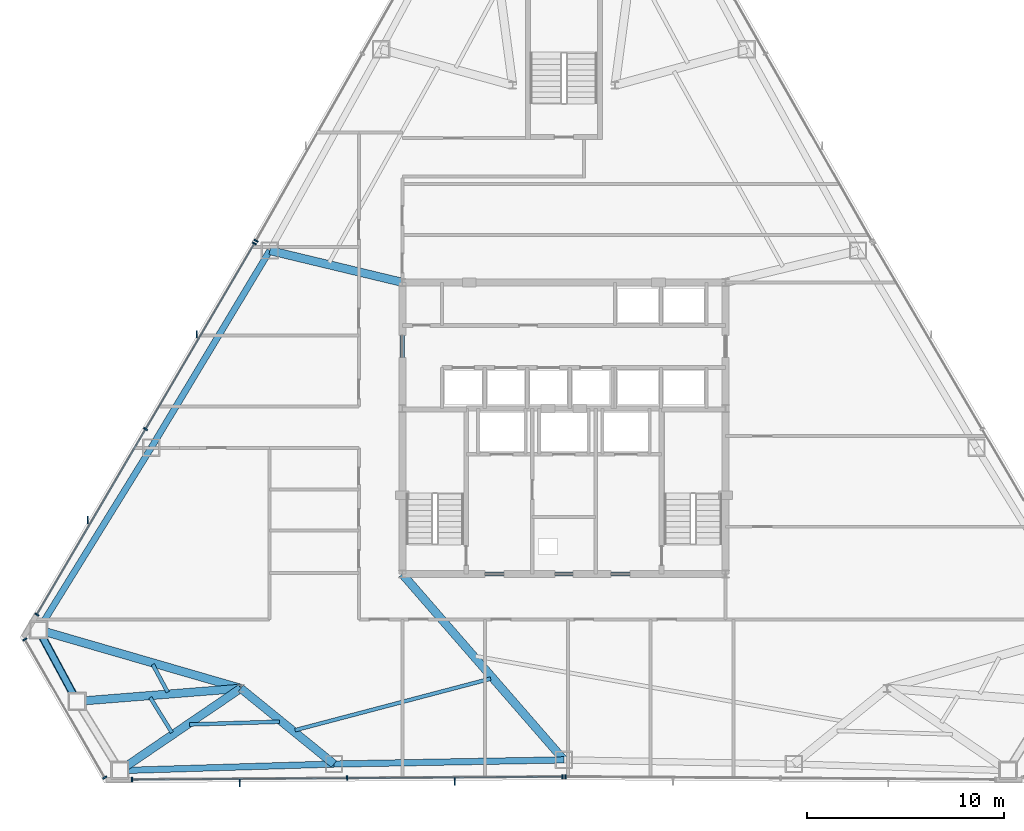
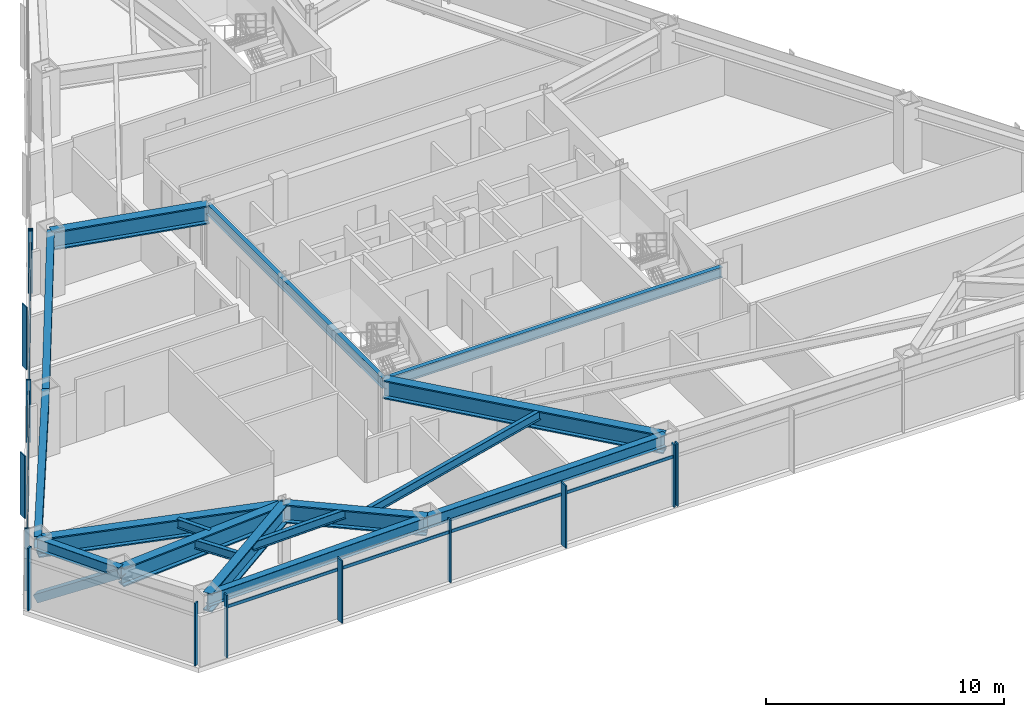
# One storey, part 4 of 13: 17 beams, 17 members, 5 elements without a shape of their own.
"""IFC4 building model written with IfcOpenShell, lengths in metres."""

from ifc_helpers import new_model, si_unit, direction, frame, origin, origin_2d, place, context, subcontext, project, spatial, rectangle, hollow_rectangle, i_section, extrude, source, transform, mapped, material, layer, layer_set, material_profile, profile_set, type_object, type_shapes, element, aggregate, save


model = new_model("IFC4")

# Units and contexts
model_context = context("Model", 3, precision=1e-05, world=origin(), true_north=direction((0.0, 1.0)))
body_context = subcontext(model_context, "Body", "Model", "MODEL_VIEW")
ifc_project = project(units=[si_unit("LENGTHUNIT", "METRE"), si_unit("AREAUNIT", "SQUARE_METRE"), si_unit("VOLUMEUNIT", "CUBIC_METRE"), si_unit("PLANEANGLEUNIT", "RADIAN"), si_unit("MASSUNIT", "GRAM", prefix="KILO")], contexts=[model_context])

# Site, building, storey
site_placement = place(None, origin())
site = spatial("IfcSite", under=ifc_project, at=site_placement, CompositionType="ELEMENT")
building_placement = place(site_placement, origin())
building = spatial("IfcBuilding", under=site, at=building_placement, Name="Varakhsha Concourse Tower", CompositionType="ELEMENT")
storey_placement = place(building_placement, frame((0.0, 0.0, 133.25)))
storey = spatial("IfcBuildingStorey", under=building, at=storey_placement, Name="L38", CompositionType="ELEMENT", Elevation=133.25)

# Beams
ifc_material_1 = material(Name="Structural Steel ASTM A992 Grade 50", Category="steel")
ifc_material_profile_1 = material_profile(ifc_material_1, i_section(OverallWidth=0.19091796875, OverallDepth=0.45703125, WebThickness=0.009033203125, FlangeThickness=0.013916015625, at=origin_2d()), Name="W18X50")
ifc_profile_set_1 = profile_set([ifc_material_profile_1], Name="Structural Steel ASTM A992 Grade 50")
beam_type_1 = type_object("IfcBeamType", Name="BM-JST-W18X50", PredefinedType="JOIST", material=ifc_profile_set_1)
beam_1_placement = place(storey_placement, frame((19.138671875, 11.811279296875, 2.9814453125), z_axis=(0.474291347454, -0.880367944516, 0.0), x_axis=(0.880367944516, 0.474291347454, 0.0)))
element("IfcBeam", 1, at=beam_1_placement, inside=storey, type_object=beam_type_1, Name="BM-TJST-L38-07", PredefinedType="JOIST", context=body_context, shape_type="SweptSolid", body=[
    extrude(i_section(OverallWidth=0.19091796875, OverallDepth=0.45703125, WebThickness=0.009033203125, FlangeThickness=0.013916015625, at=origin_2d()), origin(), (0.0, 0.0, 1.0), 1.59619140625),
])
beam_2_placement = place(storey_placement, frame((19.009521484375, 10.13623046875, 2.9814453125), z_axis=(0.525321381289, -0.850903899604, 0.0), x_axis=(0.850903899604, 0.525321381289, 0.0)))
element("IfcBeam", 2, at=beam_2_placement, inside=storey, type_object=beam_type_1, Name="BM-TJST-L38-08", PredefinedType="JOIST", context=body_context, shape_type="SweptSolid", body=[
    extrude(i_section(OverallWidth=0.19091796875, OverallDepth=0.45703125, WebThickness=0.009033203125, FlangeThickness=0.013916015625, at=origin_2d()), origin(), (0.0, 0.0, 1.0), 2.09130859375),
])
beam_3_placement = place(storey_placement, frame((21.01171875, 8.76708984375, 2.9814453125), z_axis=(0.999532992697, 0.030558084212, 0.0), x_axis=(-0.030558084212, 0.999532992697, 0.0)))
element("IfcBeam", 3, at=beam_3_placement, inside=storey, type_object=beam_type_1, Name="BM-TJST-L38-09", PredefinedType="JOIST", context=body_context, shape_type="SweptSolid", body=[
    extrude(i_section(OverallWidth=0.19091796875, OverallDepth=0.45703125, WebThickness=0.009033203125, FlangeThickness=0.013916015625, at=origin_2d()), origin(), (0.0, 0.0, 1.0), 4.56201171875),
])
beam_4_placement = place(storey_placement, frame((26.35546875, 8.47705078125, 2.9814453125), z_axis=(0.967049278612, 0.254589262806, 0.0), x_axis=(-0.254589262806, 0.967049278612, 0.0)))
element("IfcBeam", 4, at=beam_4_placement, inside=storey, type_object=beam_type_1, Name="BM-TJST-L38-10", PredefinedType="JOIST", context=body_context, shape_type="SweptSolid", body=[
    extrude(i_section(OverallWidth=0.19091796875, OverallDepth=0.45703125, WebThickness=0.009033203125, FlangeThickness=0.013916015625, at=origin_2d()), origin(), (0.0, 0.0, 1.0), 10.2685546875),
])
ifc_material_profile_2 = material_profile(ifc_material_1, i_section(OverallWidth=0.423095703125, OverallDepth=0.947998046875, WebThickness=0.0380859375, FlangeThickness=0.06396484375, at=origin_2d()), Name="W36X302")
ifc_profile_set_2 = profile_set([ifc_material_profile_2], Name="Structural Steel ASTM A992 Grade 50")
beam_type_2 = type_object("IfcBeamType", Name="BM-OUTR-W36X302", PredefinedType="USERDEFINED", material=ifc_profile_set_2)
beam_5_placement = place(storey_placement, frame((31.800048828125, 31.199951171875, 2.736083984375), z_axis=(-0.972326679088, 0.233625403442, 0.0), x_axis=(-0.233625403442, -0.972326679088, 0.0)))
element("IfcBeam", 5, at=beam_5_placement, inside=storey, type_object=beam_type_2, Name="L38 Radial Floor Girder 05", ObjectType="GIRDER", PredefinedType="USERDEFINED", context=body_context, shape_type="SweptSolid", body=[
    extrude(i_section(OverallWidth=0.423095703125, OverallDepth=0.947998046875, WebThickness=0.0380859375, FlangeThickness=0.06396484375, at=origin_2d()), origin(), (0.0, 0.0, 1.0), 6.912841796875),
])
beam_6_placement = place(storey_placement, frame((23.60009765625, 10.60009765625, 2.736083984375), z_axis=(-0.960479386688, 0.27835112313, 0.0), x_axis=(-0.27835112313, -0.960479386688, 0.0)))
element("IfcBeam", 6, at=beam_6_placement, inside=storey, type_object=beam_type_2, Name="L38 Radial Floor Girder 07", ObjectType="GIRDER", PredefinedType="USERDEFINED", context=body_context, shape_type="SweptSolid", body=[
    extrude(i_section(OverallWidth=0.423095703125, OverallDepth=0.947998046875, WebThickness=0.0380859375, FlangeThickness=0.06396484375, at=origin_2d()), origin(), (0.0, 0.0, 1.0), 10.680419921875),
])
beam_7_placement = place(storey_placement, frame((23.60009765625, 10.60009765625, 2.736083984375), z_axis=(-0.996845319741, -0.079368813216, 0.0), x_axis=(0.079368813216, -0.996845319741, 0.0)))
element("IfcBeam", 7, at=beam_7_placement, inside=storey, type_object=beam_type_2, Name="L38 Radial Floor Girder 08", ObjectType="GIRDER", PredefinedType="USERDEFINED", context=body_context, shape_type="SweptSolid", body=[
    extrude(i_section(OverallWidth=0.423095703125, OverallDepth=0.947998046875, WebThickness=0.0380859375, FlangeThickness=0.06396484375, at=origin_2d()), origin(), (0.0, 0.0, 1.0), 8.326904296875),
])
beam_8_placement = place(storey_placement, frame((23.60009765625, 10.60009765625, 2.736083984375), z_axis=(-0.826715856681, -0.562619669325, 0.0), x_axis=(0.562619669325, -0.826715856681, 0.0)))
element("IfcBeam", 8, at=beam_8_placement, inside=storey, type_object=beam_type_2, Name="L38 Radial Floor Girder 09", ObjectType="GIRDER", PredefinedType="USERDEFINED", context=body_context, shape_type="SweptSolid", body=[
    extrude(i_section(OverallWidth=0.423095703125, OverallDepth=0.947998046875, WebThickness=0.0380859375, FlangeThickness=0.06396484375, at=origin_2d()), origin(), (0.0, 0.0, 1.0), 7.417724609375),
])
beam_9_placement = place(storey_placement, frame((23.60009765625, 10.60009765625, 2.736083984375), z_axis=(0.776310048097, -0.630351258604, 0.0), x_axis=(0.630351258604, 0.776310048097, 0.0)))
element("IfcBeam", 9, at=beam_9_placement, inside=storey, type_object=beam_type_2, Name="L38 Radial Floor Girder 10", ObjectType="GIRDER", PredefinedType="USERDEFINED", context=body_context, shape_type="SweptSolid", body=[
    extrude(i_section(OverallWidth=0.423095703125, OverallDepth=0.947998046875, WebThickness=0.0380859375, FlangeThickness=0.06396484375, at=origin_2d()), origin(), (0.0, 0.0, 1.0), 6.093505859375),
])
beam_10_placement = place(storey_placement, frame((31.800048828125, 16.39990234375, 2.736083984375), z_axis=(0.656188872418, -0.754596689441, 0.0), x_axis=(0.754596689441, 0.656188872418, 0.0)))
element("IfcBeam", 10, at=beam_10_placement, inside=storey, type_object=beam_type_2, Name="L38 Radial Floor Girder 11", ObjectType="GIRDER", PredefinedType="USERDEFINED", context=body_context, shape_type="SweptSolid", body=[
    extrude(i_section(OverallWidth=0.423095703125, OverallDepth=0.947998046875, WebThickness=0.0380859375, FlangeThickness=0.06396484375, at=origin_2d()), origin(), (0.0, 0.0, 1.0), 12.496337890625),
])
ifc_material_profile_3 = material_profile(ifc_material_1, i_section(OverallWidth=0.2109375, OverallDepth=0.5390625, WebThickness=0.011962890625, FlangeThickness=0.01904296875, at=origin_2d()), Name="W21X73")
ifc_profile_set_3 = profile_set([ifc_material_profile_3], Name="Structural Steel ASTM A992 Grade 50")
beam_type_3 = type_object("IfcBeamType", Name="BM-RAD-W21X73", PredefinedType="BEAM", material=ifc_profile_set_3)
beam_11_placement = place(storey_placement, frame((31.800048828125, 16.39990234375, 2.9404296875), z_axis=(1.0, 0.0, 0.0), x_axis=(0.0, 1.0, 0.0)))
element("IfcBeam", 11, at=beam_11_placement, inside=storey, type_object=beam_type_3, Name="BM-TCORE-L38-CS", PredefinedType="BEAM", context=body_context, shape_type="SweptSolid", body=[
    extrude(i_section(OverallWidth=0.2109375, OverallDepth=0.5390625, WebThickness=0.011962890625, FlangeThickness=0.01904296875, at=origin_2d()), origin(), (0.0, 0.0, 1.0), 16.39990234375),
])
beam_12_placement = place(storey_placement, frame((31.800048828125, 16.39990234375, 2.9404296875), z_axis=(0.0, 1.0, 0.0), x_axis=(-1.0, 0.0, 0.0)))
element("IfcBeam", 12, at=beam_12_placement, inside=storey, type_object=beam_type_3, Name="BM-TCORE-L38-CW", PredefinedType="BEAM", context=body_context, shape_type="SweptSolid", body=[
    extrude(i_section(OverallWidth=0.2109375, OverallDepth=0.5390625, WebThickness=0.011962890625, FlangeThickness=0.01904296875, at=origin_2d()), origin(), (0.0, 0.0, 1.0), 14.800048828125),
])
ifc_material_profile_4 = material_profile(ifc_material_1, i_section(OverallWidth=0.323974609375, OverallDepth=0.611083984375, WebThickness=0.012939453125, FlangeThickness=0.01904296875, at=origin_2d()), Name="W24X104")
ifc_profile_set_4 = profile_set([ifc_material_profile_4], Name="Structural Steel ASTM A992 Grade 50")
beam_type_4 = type_object("IfcBeamType", Name="BM-SPAN-W24X104", PredefinedType="SPANDREL", material=ifc_profile_set_4)
beam_13_placement = place(storey_placement, frame((25.07861328125, 32.81494140625, 2.904541015625), z_axis=(-0.515584301613, -0.856838857622, 0.0), x_axis=(0.856838857622, -0.515584301613, 0.0)))
element("IfcBeam", 13, at=beam_13_placement, inside=storey, type_object=beam_type_4, Name="BM-SPAN-L38-05", PredefinedType="SPANDREL", context=body_context, shape_type="SweptSolid", body=[
    extrude(i_section(OverallWidth=0.323974609375, OverallDepth=0.611083984375, WebThickness=0.012939453125, FlangeThickness=0.01904296875, at=origin_2d()), origin(), (0.0, 0.0, 1.0), 11.67138671875),
])
beam_14_placement = place(storey_placement, frame((19.06103515625, 22.814453125, 2.904541015625), z_axis=(-0.526244020502, -0.850333599763, 0.0), x_axis=(0.850333599763, -0.526244020502, 0.0)))
element("IfcBeam", 14, at=beam_14_placement, inside=storey, type_object=beam_type_4, Name="BM-SPAN-L38-06", PredefinedType="SPANDREL", context=body_context, shape_type="SweptSolid", body=[
    extrude(i_section(OverallWidth=0.323974609375, OverallDepth=0.611083984375, WebThickness=0.012939453125, FlangeThickness=0.01904296875, at=origin_2d()), origin(), (0.0, 0.0, 1.0), 10.867919921875),
])
beam_15_placement = place(storey_placement, frame((13.341796875, 13.572998046875, 2.904541015625), z_axis=(0.474307913121, -0.880359019691, 0.0), x_axis=(0.880359019691, 0.474307913121, 0.0)))
element("IfcBeam", 15, at=beam_15_placement, inside=storey, type_object=beam_type_4, Name="BM-SPAN-L38-07", PredefinedType="SPANDREL", context=body_context, shape_type="SweptSolid", body=[
    extrude(i_section(OverallWidth=0.323974609375, OverallDepth=0.611083984375, WebThickness=0.012939453125, FlangeThickness=0.01904296875, at=origin_2d()), origin(), (0.0, 0.0, 1.0), 4.127685546875),
])
beam_16_placement = place(storey_placement, frame((17.4677734375, 6.4267578125, 2.904541015625), z_axis=(0.999532503113, 0.030574093962, 0.0), x_axis=(-0.030574093962, 0.999532503113, 0.0)))
element("IfcBeam", 16, at=beam_16_placement, inside=storey, type_object=beam_type_4, Name="BM-SPAN-L38-09", PredefinedType="SPANDREL", context=body_context, shape_type="SweptSolid", body=[
    extrude(i_section(OverallWidth=0.323974609375, OverallDepth=0.611083984375, WebThickness=0.012939453125, FlangeThickness=0.01904296875, at=origin_2d()), origin(), (0.0, 0.0, 1.0), 10.867919921875),
])
beam_17_placement = place(storey_placement, frame((28.33056640625, 6.759033203125, 2.904541015625), z_axis=(0.99983628966, 0.018094028841, 0.0), x_axis=(-0.018094028841, 0.99983628966, 0.0)))
element("IfcBeam", 17, at=beam_17_placement, inside=storey, type_object=beam_type_4, Name="BM-SPAN-L38-10", PredefinedType="SPANDREL", context=body_context, shape_type="SweptSolid", body=[
    extrude(i_section(OverallWidth=0.323974609375, OverallDepth=0.611083984375, WebThickness=0.012939453125, FlangeThickness=0.01904296875, at=origin_2d()), origin(), (0.0, 0.0, 1.0), 11.67138671875),
])

# Member
ifc_material_2 = material(Name="Structural Steel ASTM A500 Grade C", Category="steel")
ifc_material_profile_5 = material_profile(ifc_material_2, hollow_rectangle(XDim=0.39990234375, YDim=0.39990234375, WallThickness=0.01611328125, at=origin_2d()), Name="HSS 400x400x16")
ifc_profile_set_5 = profile_set([ifc_material_profile_5], Name="Structural Steel ASTM A500 Grade C")
member_type_1 = type_object("IfcMemberType", Name="MB-TUBE-HSS400", PredefinedType="BRACE", material=ifc_profile_set_5)
shared_shape_1 = source(origin(), body_context, "Body", "SweptSolid", [
    extrude(hollow_rectangle(XDim=0.39990234375, YDim=0.39990234375, WallThickness=0.01611328125, at=origin_2d()), origin(), (0.0, 0.0, 1.0), 4.98193359375),
])
type_shapes(member_type_1, [shared_shape_1])
member_1_placement = place(storey_placement, frame((13.341796875, 13.572998046875, 0.1201171875), z_axis=(0.392968262124, -0.729385161922, 0.559976098178), x_axis=(0.880359019691, 0.474307913121, 0.0)))
element("IfcMember", 18, at=member_1_placement, inside=storey, type_object=member_type_1, Name="L38 Wind-Corner Tube Brace B03", PredefinedType="BRACE", context=body_context, shape_type="MappedRepresentation", body=[
    mapped(shared_shape_1, transform((0.0, 0.0, 0.0), scale=1.0)),
])

# Curtain wall, member
ifc_material_3 = material(Name="Anodised Bronze Architectural Aluminium AA 6063-T6", Category="aluminium")
ifc_layer = layer(ifc_material_3, 0.2099609375, Name="CW-SYS-04")
ifc_layer_set = layer_set([ifc_layer], Name="Anodised Bronze Architectural Aluminium AA 6063-T6")
curtain_wall_type = type_object("IfcCurtainWallType", Name="CW-SYS-04", PredefinedType="NOTDEFINED", material=ifc_layer_set)
curtain_wall_1_placement = place(storey_placement, origin())
curtain_wall_1 = element("IfcCurtainWall", 19, at=curtain_wall_1_placement, inside=storey, type_object=curtain_wall_type, Name="L38 Crystal Curtain Wall F2", PredefinedType="NOTDEFINED")
ifc_material_profile_6 = material_profile(ifc_material_3, rectangle(XDim=0.074951171875, YDim=0.219970703125, at=origin_2d()), Name="CWM-220X75")
ifc_profile_set_6 = profile_set([ifc_material_profile_6], Name="Anodised Bronze Architectural Aluminium AA 6063-T6")
member_type_2 = type_object("IfcMemberType", Name="CWM-220X75", PredefinedType="MULLION", material=ifc_profile_set_6)
shared_shape_2 = source(origin(), body_context, "Body", "SweptSolid", [
    extrude(rectangle(XDim=0.074951171875, YDim=0.219970703125, at=origin_2d()), origin(), (0.0, 0.0, 1.0), 3.2099609375),
])
type_shapes(member_type_2, [shared_shape_2])
member_2_placement = place(storey_placement, frame((24.380859375, 33.311279296875, 0.0), z_axis=(0.0, 0.0, 1.0), x_axis=(0.494114858069, 0.8693966339, 0.0)))
member_2 = element("IfcMember", 20, at=member_2_placement, type_object=member_type_2, Name="CW-L38-F2 Mullion 00", PredefinedType="MULLION", context=body_context, shape_type="MappedRepresentation", body=[
    mapped(shared_shape_2, transform((0.0, 0.0, 0.0), scale=1.0)),
])
aggregate(curtain_wall_1, [member_2])

# Curtain wall, members
curtain_wall_2_placement = place(storey_placement, origin())
curtain_wall_2 = element("IfcCurtainWall", 21, at=curtain_wall_2_placement, inside=storey, type_object=curtain_wall_type, Name="L38 Crystal Curtain Wall F3", PredefinedType="NOTDEFINED")
member_3_placement = place(storey_placement, frame((13.258056640625, 14.34228515625, 0.0), z_axis=(0.0, 0.0, 1.0), x_axis=(0.505862141887, 0.862614336424, 0.0)))
member_3 = element("IfcMember", 22, at=member_3_placement, type_object=member_type_2, Name="CW-L38-F3 Mullion 00", PredefinedType="MULLION", context=body_context, shape_type="MappedRepresentation", body=[
    mapped(shared_shape_2, transform((0.0, 0.0, 0.0), scale=1.0)),
])
member_4_placement = place(storey_placement, frame((18.77880859375, 23.756591796875, 0.0), z_axis=(0.0, 0.0, 1.0), x_axis=(0.505862141887, 0.862614336424, 0.0)))
member_4 = element("IfcMember", 23, at=member_4_placement, type_object=member_type_2, Name="CW-L38-F3 Mullion 01", PredefinedType="MULLION", context=body_context, shape_type="MappedRepresentation", body=[
    mapped(shared_shape_2, transform((0.0, 0.0, 0.0), scale=1.0)),
])
member_5_placement = place(storey_placement, frame((24.2998046875, 33.1708984375, 0.0), z_axis=(0.0, 0.0, 1.0), x_axis=(0.505862141887, 0.862614336424, 0.0)))
member_5 = element("IfcMember", 24, at=member_5_placement, type_object=member_type_2, Name="CW-L38-F3 Mullion 02", PredefinedType="MULLION", context=body_context, shape_type="MappedRepresentation", body=[
    mapped(shared_shape_2, transform((0.0, 0.0, 0.0), scale=1.0)),
])

curtain_wall_3_placement = place(storey_placement, origin())
curtain_wall_3 = element("IfcCurtainWall", 25, at=curtain_wall_3_placement, inside=storey, type_object=curtain_wall_type, Name="L38 Chamfer Curtain Wall F4", PredefinedType="NOTDEFINED")
member_6_placement = place(storey_placement, frame((16.701904296875, 6.070556640625, 0.0), z_axis=(0.0, 0.0, 1.0), x_axis=(-0.5, 0.866025403784, 0.0)))
member_6 = element("IfcMember", 26, at=member_6_placement, type_object=member_type_2, Name="CW-L38-F4 Mullion 00", PredefinedType="MULLION", context=body_context, shape_type="MappedRepresentation", body=[
    mapped(shared_shape_2, transform((0.0, 0.0, 0.0), scale=1.0)),
])
member_7_placement = place(storey_placement, frame((12.650390625, 13.087890625, 0.0), z_axis=(0.0, 0.0, 1.0), x_axis=(-0.5, 0.866025403784, 0.0)))
member_7 = element("IfcMember", 27, at=member_7_placement, type_object=member_type_2, Name="CW-L38-F4 Mullion 01", PredefinedType="MULLION", context=body_context, shape_type="MappedRepresentation", body=[
    mapped(shared_shape_2, transform((0.0, 0.0, 0.0), scale=1.0)),
])
aggregate(curtain_wall_3, [member_6, member_7])

curtain_wall_4_placement = place(storey_placement, origin())
curtain_wall_4 = element("IfcCurtainWall", 28, at=curtain_wall_4_placement, inside=storey, type_object=curtain_wall_type, Name="L38 Crystal Curtain Wall F5", PredefinedType="NOTDEFINED")
member_8_placement = place(storey_placement, frame((39.9189453125, 6.11767578125, 0.0), z_axis=(0.0, 0.0, 1.0), x_axis=(-0.999976976275, -0.006785788053, 0.0)))
member_8 = element("IfcMember", 29, at=member_8_placement, type_object=member_type_2, Name="CW-L38-F5 Mullion 00", PredefinedType="MULLION", context=body_context, shape_type="MappedRepresentation", body=[
    mapped(shared_shape_2, transform((0.0, 0.0, 0.0), scale=1.0)),
])
member_9_placement = place(storey_placement, frame((29.005615234375, 6.043701171875, 0.0), z_axis=(0.0, 0.0, 1.0), x_axis=(-0.999976976275, -0.006785788053, 0.0)))
member_9 = element("IfcMember", 30, at=member_9_placement, type_object=member_type_2, Name="CW-L38-F5 Mullion 01", PredefinedType="MULLION", context=body_context, shape_type="MappedRepresentation", body=[
    mapped(shared_shape_2, transform((0.0, 0.0, 0.0), scale=1.0)),
])
member_10_placement = place(storey_placement, frame((18.092041015625, 5.969482421875, 0.0), z_axis=(0.0, 0.0, 1.0), x_axis=(-0.999976976275, -0.006785788053, 0.0)))
member_10 = element("IfcMember", 31, at=member_10_placement, type_object=member_type_2, Name="CW-L38-F5 Mullion 02", PredefinedType="MULLION", context=body_context, shape_type="MappedRepresentation", body=[
    mapped(shared_shape_2, transform((0.0, 0.0, 0.0), scale=1.0)),
])

# Curtain wall, member
curtain_wall_5_placement = place(storey_placement, origin())
curtain_wall_5 = element("IfcCurtainWall", 32, at=curtain_wall_5_placement, inside=storey, type_object=curtain_wall_type, Name="L38 Crystal Curtain Wall F6", PredefinedType="NOTDEFINED")
member_11_placement = place(storey_placement, frame((40.0810546875, 6.11767578125, 0.0), z_axis=(0.0, 0.0, 1.0), x_axis=(-0.999976976275, 0.006785788053, 0.0)))
member_11 = element("IfcMember", 33, at=member_11_placement, type_object=member_type_2, Name="CW-L38-F6 Mullion 02", PredefinedType="MULLION", context=body_context, shape_type="MappedRepresentation", body=[
    mapped(shared_shape_2, transform((0.0, 0.0, 0.0), scale=1.0)),
])
aggregate(curtain_wall_5, [member_11])

# Member
ifc_material_profile_7 = material_profile(ifc_material_3, rectangle(XDim=0.06005859375, YDim=0.3798828125, at=origin_2d()), Name="FIN-BRZ-380")
ifc_profile_set_7 = profile_set([ifc_material_profile_7], Name="Anodised Bronze Architectural Aluminium AA 6063-T6")
member_type_3 = type_object("IfcMemberType", Name="FIN-BRZ-380", PredefinedType="USERDEFINED", material=ifc_profile_set_7)
shared_shape_3 = source(origin(), body_context, "Body", "SweptSolid", [
    extrude(rectangle(XDim=0.06005859375, YDim=0.3798828125, at=origin_2d()), origin(), (0.0, 0.0, 1.0), 3.2099609375),
])
type_shapes(member_type_3, [shared_shape_3])
member_12_placement = place(storey_placement, frame((15.841552734375, 19.1533203125, 0.0), z_axis=(0.0, 0.0, 1.0), x_axis=(1.0, 0.0, 0.0)))
member_12 = element("IfcMember", 34, at=member_12_placement, type_object=member_type_3, Name="L38 Anodised Bronze Solar Fin F3-1", ObjectType="SOLAR FIN", PredefinedType="USERDEFINED", context=body_context, shape_type="MappedRepresentation", body=[
    mapped(shared_shape_3, transform((0.0, 0.0, 0.0), scale=1.0)),
])

member_13_placement = place(storey_placement, frame((21.3623046875, 28.5673828125, 0.0), z_axis=(0.0, 0.0, 1.0), x_axis=(1.0, 0.0, 0.0)))
member_13 = element("IfcMember", 35, at=member_13_placement, type_object=member_type_3, Name="L38 Anodised Bronze Solar Fin F3-2", ObjectType="SOLAR FIN", PredefinedType="USERDEFINED", context=body_context, shape_type="MappedRepresentation", body=[
    mapped(shared_shape_3, transform((0.0, 0.0, 0.0), scale=1.0)),
])

member_14_placement = place(storey_placement, frame((34.463623046875, 5.875732421875, 0.0), z_axis=(0.0, 0.0, 1.0), x_axis=(1.0, 0.0, 0.0)))
member_14 = element("IfcMember", 36, at=member_14_placement, type_object=member_type_3, Name="L38 Anodised Bronze Solar Fin F5-1", ObjectType="SOLAR FIN", PredefinedType="USERDEFINED", context=body_context, shape_type="MappedRepresentation", body=[
    mapped(shared_shape_3, transform((0.0, 0.0, 0.0), scale=1.0)),
])

member_15_placement = place(storey_placement, frame((23.55029296875, 5.801513671875, 0.0), z_axis=(0.0, 0.0, 1.0), x_axis=(1.0, 0.0, 0.0)))
member_15 = element("IfcMember", 37, at=member_15_placement, type_object=member_type_3, Name="L38 Anodised Bronze Solar Fin F5-2", ObjectType="SOLAR FIN", PredefinedType="USERDEFINED", context=body_context, shape_type="MappedRepresentation", body=[
    mapped(shared_shape_3, transform((0.0, 0.0, 0.0), scale=1.0)),
])

ifc_material_profile_8 = material_profile(ifc_material_3, rectangle(XDim=0.06494140625, YDim=0.159912109375, at=origin_2d()), Name="CWT-160X65")
ifc_profile_set_8 = profile_set([ifc_material_profile_8], Name="Anodised Bronze Architectural Aluminium AA 6063-T6")
member_type_4 = type_object("IfcMemberType", Name="CWT-160X65", PredefinedType="USERDEFINED", material=ifc_profile_set_8)
shared_shape_4 = source(origin(), body_context, "Body", "SweptSolid", [
    extrude(rectangle(XDim=0.06494140625, YDim=0.159912109375, at=origin_2d()), origin(), (0.0, 0.0, 1.0), 21.827392578125),
])
type_shapes(member_type_4, [shared_shape_4])
member_16_placement = place(storey_placement, frame((13.258056640625, 14.34228515625, 2.56005859375), z_axis=(0.505865600698, 0.862612308068, 0.0), x_axis=(-0.862612308068, 0.505865600698, 0.0)))
member_16 = element("IfcMember", 38, at=member_16_placement, type_object=member_type_4, Name="CW-L38-F3 Transom 01", ObjectType="TRANSOM", PredefinedType="USERDEFINED", context=body_context, shape_type="MappedRepresentation", body=[
    mapped(shared_shape_4, transform((0.0, 0.0, 0.0), scale=1.0)),
])

aggregate(curtain_wall_2, [member_3, member_4, member_5, member_16, member_12, member_13])

member_17_placement = place(storey_placement, frame((39.9189453125, 6.11767578125, 2.56005859375), z_axis=(-0.999976952268, -0.006789324855, 0.0), x_axis=(0.006789324855, -0.999976952268, 0.0)))
member_17 = element("IfcMember", 39, at=member_17_placement, type_object=member_type_4, Name="CW-L38-F5 Transom 01", ObjectType="TRANSOM", PredefinedType="USERDEFINED", context=body_context, shape_type="MappedRepresentation", body=[
    mapped(shared_shape_4, transform((0.0, 0.0, 0.0), scale=1.0)),
])

aggregate(curtain_wall_4, [member_8, member_9, member_10, member_17, member_14, member_15])

save(model, "model.ifc")
